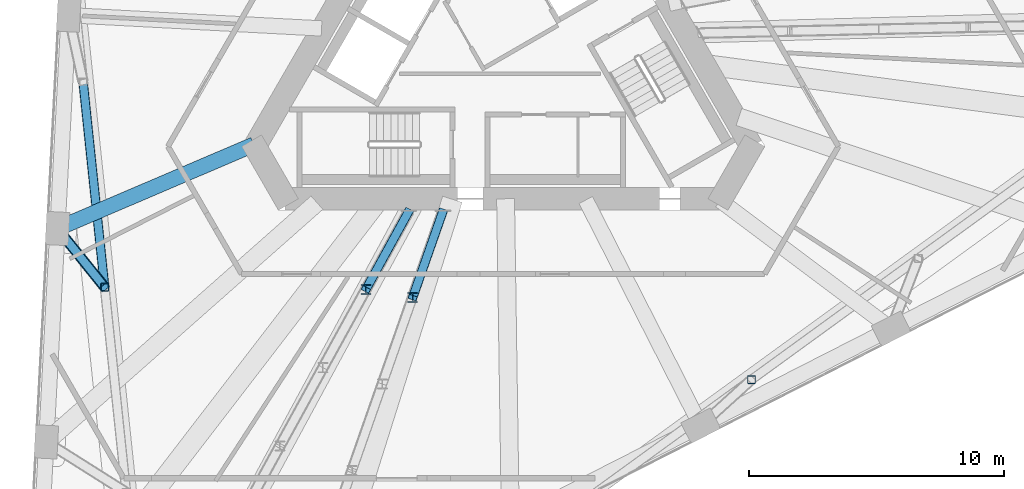
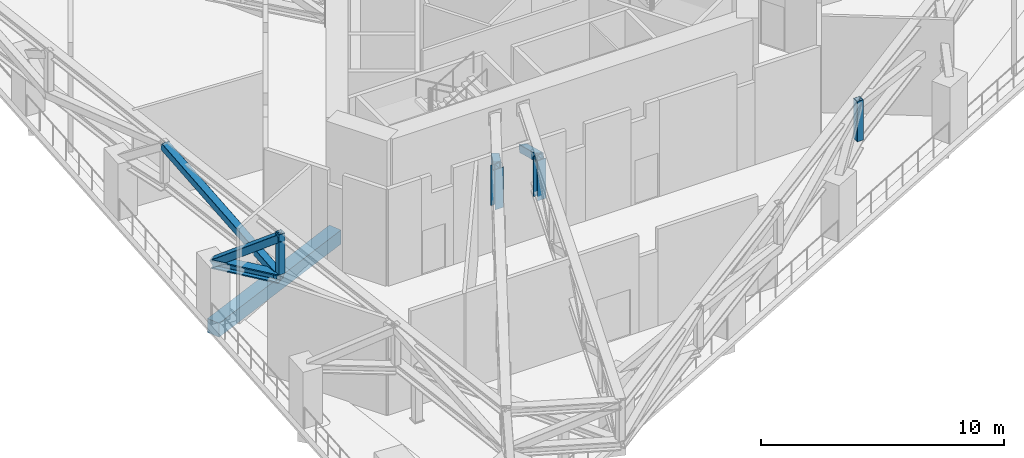
# One storey, part 4 of 26: 9 members, 1 beam.
"""IFC4 building model written with IfcOpenShell, lengths in metres."""

from ifc_helpers import new_model, si_unit, direction, frame, origin, origin_2d, place, context, subcontext, project, spatial, rectangle, hollow_rectangle, i_section, extrude, material, material_profile, profile_set, type_object, element, save


model = new_model("IFC4")

# Units and contexts
model_context = context("Model", 3, precision=1e-05, world=origin(), true_north=direction((0.0, 1.0)))
body_context = subcontext(model_context, "Body", "Model", "MODEL_VIEW")
ifc_project = project(units=[si_unit("LENGTHUNIT", "METRE"), si_unit("AREAUNIT", "SQUARE_METRE"), si_unit("VOLUMEUNIT", "CUBIC_METRE"), si_unit("PLANEANGLEUNIT", "RADIAN"), si_unit("MASSUNIT", "GRAM", prefix="KILO")], contexts=[model_context])

# Site, building, storey
site_placement = place(None, origin())
site = spatial("IfcSite", under=ifc_project, at=site_placement, CompositionType="ELEMENT")
building_placement = place(site_placement, origin())
building = spatial("IfcBuilding", under=site, at=building_placement, Name="Tramontana Tower", CompositionType="ELEMENT")
storey_placement = place(building_placement, frame((0.0, 0.0, 157.60009765625)))
storey = spatial("IfcBuildingStorey", under=building, at=storey_placement, Name="L36", CompositionType="ELEMENT", Elevation=157.60009765625)

# Members
ifc_material_1 = material(Name="Steel ASTM A500 Grade C", Category="steel")
ifc_material_profile_1 = material_profile(ifc_material_1, hollow_rectangle(XDim=0.3046875, YDim=0.3046875, WallThickness=0.01171875, InnerFilletRadius=0.01171875, OuterFilletRadius=0.023681640625, at=origin_2d()), Name="HSS12X12X1/2")
ifc_profile_set_1 = profile_set([ifc_material_profile_1], Name="Steel ASTM A500 Grade C")
member_type_1 = type_object("IfcMemberType", Name="Belt truss HSS12X12X1/2 post", PredefinedType="POST", material=ifc_profile_set_1)
for number, where, z_axis, x_axis, name in (
    (1, (-15.614501953125, -9.7685546875, 2.8349609375), (0.0, 0.0, 1.0), (1.0, 0.0, 0.0), "Belt truss post C4F04"),
    (2, (9.727783203125, -13.38916015625, 2.8349609375), (0.0, 0.0, 1.0), (1.0, 0.0, 0.0), "Belt truss post C4F08"),
):
    element("IfcMember", number, at=place(storey_placement, frame(where, z_axis=z_axis, x_axis=x_axis)), inside=storey, type_object=member_type_1, Name=name, PredefinedType="POST", context=body_context, shape_type="SweptSolid", body=[
        extrude(hollow_rectangle(XDim=0.3046875, YDim=0.3046875, WallThickness=0.01171875, InnerFilletRadius=0.01171875, OuterFilletRadius=0.023681640625, at=origin_2d()), origin(), (0.0, 0.0, 1.0), 2.014892578125),
    ])
ifc_material_2 = material(Name="Steel ASTM A500 Grade C", Category="steel")
ifc_material_profile_2 = material_profile(ifc_material_2, hollow_rectangle(XDim=0.355712890625, YDim=0.355712890625, WallThickness=0.01171875, InnerFilletRadius=0.01171875, OuterFilletRadius=0.023681640625, at=origin_2d()), Name="HSS14X14X1/2")
ifc_profile_set_2 = profile_set([ifc_material_profile_2], Name="Steel ASTM A500 Grade C")
member_type_2 = type_object("IfcMemberType", Name="Belt truss HSS14X14X1/2 brace", PredefinedType="BRACE", material=ifc_profile_set_2)
member_1_placement = place(storey_placement, frame((-16.459228515625, -1.72998046875, 4.63232421875), z_axis=(0.101405463131, -0.964993144232, -0.24187840671), x_axis=(0.994523973988, 0.104508684626, 0.0)))
element("IfcMember", 3, at=member_1_placement, inside=storey, type_object=member_type_2, Name="Belt truss diagonal S0.4", PredefinedType="BRACE", context=body_context, shape_type="SweptSolid", body=[
    extrude(hollow_rectangle(XDim=0.355712890625, YDim=0.355712890625, WallThickness=0.01171875, InnerFilletRadius=0.01171875, OuterFilletRadius=0.023681640625, at=origin_2d()), origin(), (0.0, 0.0, 1.0), 8.330078125),
])

# Beam
ifc_material_3 = material(Name="Concrete 40 MPa", Category="concrete")
ifc_material_profile_3 = material_profile(ifc_material_3, rectangle(XDim=0.60009765625, YDim=0.699951171875, at=origin_2d()), Name="RC GIRDER 600X700 40 MPa")
ifc_profile_set_3 = profile_set([ifc_material_profile_3], Name="Concrete 40 MPa")
beam_type = type_object("IfcBeamType", Name="RC GIRDER 600X700 40 MPa", PredefinedType="BEAM", material=ifc_profile_set_3)
beam_placement = place(storey_placement, frame((-17.46484375, -7.4677734375, -0.7001953125), z_axis=(0.919473795441, 0.393151293394, 0.0), x_axis=(-0.393151293394, 0.919473795441, 0.0)))
element("IfcBeam", 4, at=beam_placement, inside=storey, type_object=beam_type, Name="Radial girder C3F04 L36", PredefinedType="BEAM", context=body_context, shape_type="SweptSolid", body=[
    extrude(rectangle(XDim=0.60009765625, YDim=0.699951171875, at=origin_2d()), origin(), (0.0, 0.0, 1.0), 8.365234375),
])

# Members
ifc_material_4 = material(Name="Steel ASTM A500 Grade C", Category="steel")
ifc_material_profile_4 = material_profile(ifc_material_4, hollow_rectangle(XDim=0.355712890625, YDim=0.355712890625, WallThickness=0.01171875, InnerFilletRadius=0.01171875, OuterFilletRadius=0.023681640625, at=origin_2d()), Name="HSS14X14X1/2")
ifc_profile_set_4 = profile_set([ifc_material_profile_4], Name="Steel ASTM A500 Grade C")
member_type_3 = type_object("IfcMemberType", Name="Transfer truss HSS14X14X1/2 brace", PredefinedType="BRACE", material=ifc_profile_set_4)
member_2_placement = place(storey_placement, frame((-17.46484375, -7.4677734375, 2.617431640625), z_axis=(0.517648478191, -0.643662654503, 0.563682925256), x_axis=(0.779260854845, 0.626699704888, 0.0)))
element("IfcMember", 5, at=member_2_placement, inside=storey, type_object=member_type_3, Name="Transfer truss strut C4F04 diagonal", PredefinedType="BRACE", context=body_context, shape_type="SweptSolid", body=[
    extrude(hollow_rectangle(XDim=0.355712890625, YDim=0.355712890625, WallThickness=0.01171875, InnerFilletRadius=0.01171875, OuterFilletRadius=0.023681640625, at=origin_2d()), origin(), (0.0, 0.0, 1.0), 3.574462890625),
])
member_3_placement = place(storey_placement, frame((-3.697998046875, -6.7900390625, 2.617431640625), z_axis=(-0.416978133929, -0.759478600583, 0.499321030081), x_axis=(0.876573929799, -0.481267228883, 0.0)))
element("IfcMember", 6, at=member_3_placement, inside=storey, type_object=member_type_3, Name="Transfer truss diagonal 1.1", PredefinedType="BRACE", context=body_context, shape_type="SweptSolid", body=[
    extrude(hollow_rectangle(XDim=0.355712890625, YDim=0.355712890625, WallThickness=0.01171875, InnerFilletRadius=0.01171875, OuterFilletRadius=0.023681640625, at=origin_2d()), origin(), (0.0, 0.0, 1.0), 4.03515625),
])
member_4_placement = place(storey_placement, frame((-2.36181640625, -6.7900390625, 2.617431640625), z_axis=(-0.28841734219, -0.822760911958, 0.489775375533), x_axis=(0.943696942026, -0.33081124771, 0.0)))
element("IfcMember", 7, at=member_4_placement, inside=storey, type_object=member_type_3, Name="Transfer truss diagonal 2.1", PredefinedType="BRACE", context=body_context, shape_type="SweptSolid", body=[
    extrude(hollow_rectangle(XDim=0.355712890625, YDim=0.355712890625, WallThickness=0.01171875, InnerFilletRadius=0.01171875, OuterFilletRadius=0.023681640625, at=origin_2d()), origin(), (0.0, 0.0, 1.0), 4.114013671875),
])
ifc_material_5 = material(Name="Steel ASTM A992 Grade 50", Category="steel")
ifc_material_profile_5 = material_profile(ifc_material_5, i_section(OverallWidth=0.39697265625, OverallDepth=0.387451171875, WebThickness=0.020751953125, FlangeThickness=0.033447265625, FilletRadius=0.01513671875, at=origin_2d()), Name="W14X176")
ifc_profile_set_5 = profile_set([ifc_material_profile_5], Name="Steel ASTM A992 Grade 50")
member_type_4 = type_object("IfcMemberType", Name="Transfer truss W14X176 post", PredefinedType="POST", material=ifc_profile_set_5)
for number, where, z_axis, x_axis, name in (
    (8, (-5.380615234375, -9.854736328125, 2.617431640625), (0.0, 0.0, 1.0), (1.0, 0.0, 0.0), "Transfer truss post 1.1"),
    (9, (-3.54833984375, -10.1748046875, 2.617431640625), (0.0, 0.0, 1.0), (1.0, 0.0, 0.0), "Transfer truss post 2.1"),
):
    element("IfcMember", number, at=place(storey_placement, frame(where, z_axis=z_axis, x_axis=x_axis)), inside=storey, type_object=member_type_4, Name=name, PredefinedType="POST", context=body_context, shape_type="SweptSolid", body=[
        extrude(i_section(OverallWidth=0.39697265625, OverallDepth=0.387451171875, WebThickness=0.020751953125, FlangeThickness=0.033447265625, FilletRadius=0.01513671875, at=origin_2d()), origin(), (0.0, 0.0, 1.0), 2.014892578125),
    ])
ifc_material_6 = material(Name="Steel ASTM A992 Grade 50", Category="steel")
ifc_material_profile_6 = material_profile(ifc_material_6, i_section(OverallWidth=0.412841796875, OverallDepth=0.43505859375, WebThickness=0.03662109375, FlangeThickness=0.05712890625, FilletRadius=0.01513671875, at=origin_2d()), Name="W14X311")
ifc_profile_set_6 = profile_set([ifc_material_profile_6], Name="Steel ASTM A992 Grade 50")
member_type_5 = type_object("IfcMemberType", Name="Transfer truss W14X311 strut", PredefinedType="STRUT", material=ifc_profile_set_6)
member_5_placement = place(storey_placement, frame((-17.46484375, -7.4677734375, 2.617431640625), z_axis=(0.626699704888, -0.779260854845, 0.0), x_axis=(0.779260854845, 0.626699704888, 0.0)))
element("IfcMember", 10, at=member_5_placement, inside=storey, type_object=member_type_5, Name="Transfer truss strut C4F04 bottom", PredefinedType="STRUT", context=body_context, shape_type="SweptSolid", body=[
    extrude(i_section(OverallWidth=0.412841796875, OverallDepth=0.43505859375, WebThickness=0.03662109375, FlangeThickness=0.05712890625, FilletRadius=0.01513671875, at=origin_2d()), origin(), (0.0, 0.0, 1.0), 2.95263671875),
])

save(model, "model.ifc")
